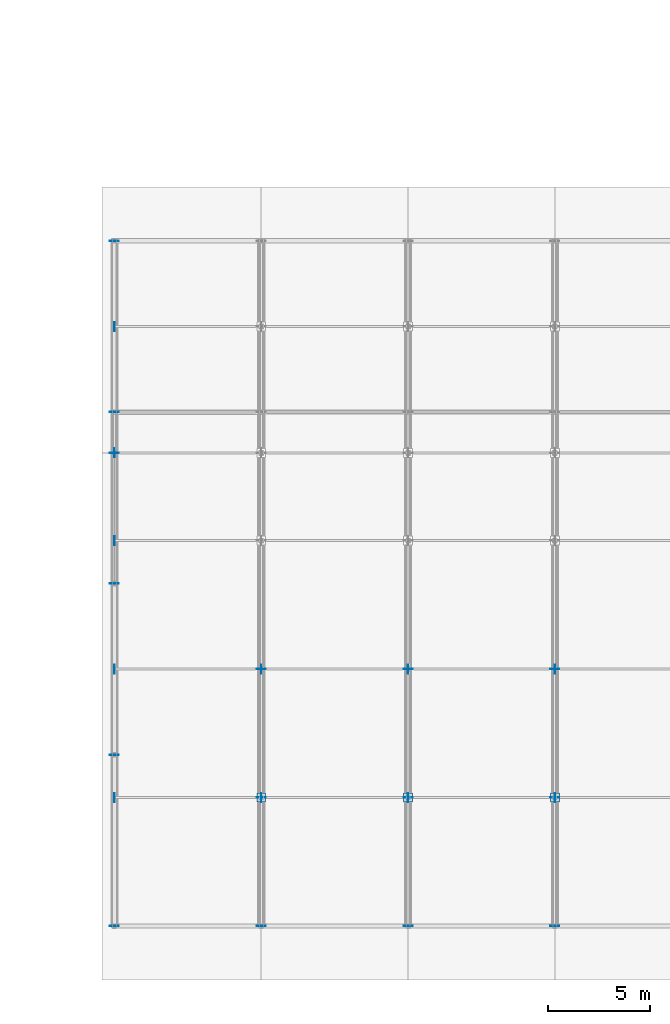
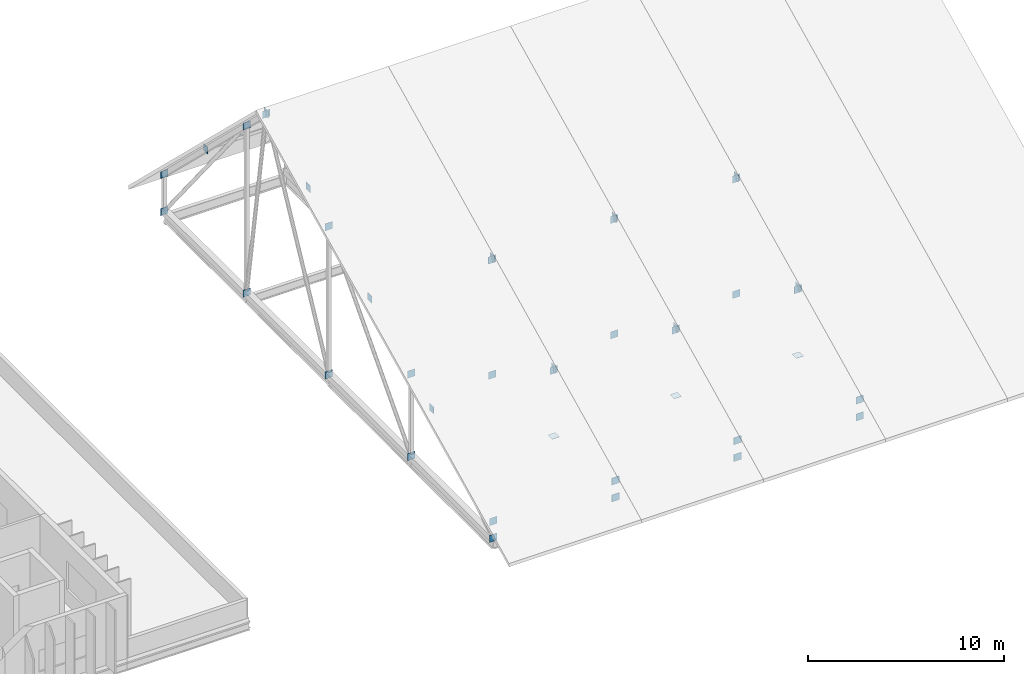
# One storey, part 69 of 99: 40 plates.
"""IFC4 building model written with IfcOpenShell, lengths in metres."""

from ifc_helpers import new_model, si_unit, direction, frame, origin, origin_2d, place, context, subcontext, project, spatial, rectangle, extrude, material, layer, layer_set, type_object, element, save


model = new_model("IFC4")

# Units and contexts
model_context = context("Model", 3, precision=1e-05, world=origin(), true_north=direction((0.0, 1.0)))
body_context = subcontext(model_context, "Body", "Model", "MODEL_VIEW")
ifc_project = project(units=[si_unit("LENGTHUNIT", "METRE"), si_unit("AREAUNIT", "SQUARE_METRE"), si_unit("VOLUMEUNIT", "CUBIC_METRE"), si_unit("PLANEANGLEUNIT", "RADIAN"), si_unit("MASSUNIT", "GRAM", prefix="KILO")], contexts=[model_context])

# Site, building, storey
site_placement = place(None, origin())
site = spatial("IfcSite", under=ifc_project, at=site_placement, CompositionType="ELEMENT")
building_placement = place(site_placement, origin())
building = spatial("IfcBuilding", under=site, at=building_placement, Name="Qelthora Terrace Specialist Clinic", CompositionType="ELEMENT")
storey_placement = place(building_placement, frame((0.0, 0.0, 9.0)))
storey = spatial("IfcBuildingStorey", under=building, at=storey_placement, Name="L02", CompositionType="ELEMENT", Elevation=9.0)

# Plates
ifc_material = material(Name="Steel S355", Category="steel")
ifc_layer_1 = layer(ifc_material, 0.011962890625)
ifc_layer_set_1 = layer_set([ifc_layer_1], Name="Steel S355")
plate_type_1 = type_object("IfcPlateType", Name="PLT-CAP-360X360X12", PredefinedType="USERDEFINED", material=ifc_layer_set_1)
plate_1_placement = place(storey_placement, frame((64.800048828125, 12.60009765625, -0.27001953125), z_axis=(0.0, 0.0, 1.0), x_axis=(1.0, 0.0, 0.0)))
element("IfcPlate", 1, at=plate_1_placement, inside=storey, type_object=plate_type_1, Name="Steel truss node plate GPLT-0018", ObjectType="GUSSET PLATE", PredefinedType="USERDEFINED", context=body_context, shape_type="SweptSolid", body=[
    extrude(rectangle(XDim=0.43994140625, YDim=0.011962890625, at=origin_2d()), origin(), (0.0, 0.0, 1.0), 0.43994140625),
])
plate_2_placement = place(storey_placement, frame((64.800048828125, 6.300048828125, -0.05615234375), z_axis=(0.0, 0.0, 1.0), x_axis=(1.0, 0.0, 0.0)))
element("IfcPlate", 2, at=plate_2_placement, inside=storey, type_object=plate_type_1, Name="Steel truss node plate GPLT-0026", ObjectType="GUSSET PLATE", PredefinedType="USERDEFINED", context=body_context, shape_type="SweptSolid", body=[
    extrude(rectangle(XDim=0.43994140625, YDim=0.43994140625, at=origin_2d()), origin(), (0.0, 0.0, 1.0), 0.011962890625),
])
plate_3_placement = place(storey_placement, frame((72.0, 12.60009765625, -0.27001953125), z_axis=(0.0, 0.0, 1.0), x_axis=(1.0, 0.0, 0.0)))
element("IfcPlate", 3, at=plate_3_placement, inside=storey, type_object=plate_type_1, Name="Steel truss node plate GPLT-0034", ObjectType="GUSSET PLATE", PredefinedType="USERDEFINED", context=body_context, shape_type="SweptSolid", body=[
    extrude(rectangle(XDim=0.43994140625, YDim=0.011962890625, at=origin_2d()), origin(), (0.0, 0.0, 1.0), 0.43994140625),
])
plate_4_placement = place(storey_placement, frame((72.0, 6.300048828125, -0.05615234375), z_axis=(0.0, 0.0, 1.0), x_axis=(1.0, 0.0, 0.0)))
element("IfcPlate", 4, at=plate_4_placement, inside=storey, type_object=plate_type_1, Name="Steel truss node plate GPLT-0042", ObjectType="GUSSET PLATE", PredefinedType="USERDEFINED", context=body_context, shape_type="SweptSolid", body=[
    extrude(rectangle(XDim=0.43994140625, YDim=0.43994140625, at=origin_2d()), origin(), (0.0, 0.0, 1.0), 0.011962890625),
])
plate_5_placement = place(storey_placement, frame((79.199951171875, 12.60009765625, -0.27001953125), z_axis=(0.0, 0.0, 1.0), x_axis=(1.0, 0.0, 0.0)))
element("IfcPlate", 5, at=plate_5_placement, inside=storey, type_object=plate_type_1, Name="Steel truss node plate GPLT-0050", ObjectType="GUSSET PLATE", PredefinedType="USERDEFINED", context=body_context, shape_type="SweptSolid", body=[
    extrude(rectangle(XDim=0.43994140625, YDim=0.011962890625, at=origin_2d()), origin(), (0.0, 0.0, 1.0), 0.43994140625),
])
plate_6_placement = place(storey_placement, frame((79.199951171875, 6.300048828125, -0.05615234375), z_axis=(0.0, 0.0, 1.0), x_axis=(1.0, 0.0, 0.0)))
element("IfcPlate", 6, at=plate_6_placement, inside=storey, type_object=plate_type_1, Name="Steel truss node plate GPLT-0058", ObjectType="GUSSET PLATE", PredefinedType="USERDEFINED", context=body_context, shape_type="SweptSolid", body=[
    extrude(rectangle(XDim=0.43994140625, YDim=0.43994140625, at=origin_2d()), origin(), (0.0, 0.0, 1.0), 0.011962890625),
])
for number, where, z_axis, x_axis, name in (
    (7, (57.60009765625, 6.300048828125, 3.96533203125), (0.0, 0.0, 1.0), (1.0, 0.0, 0.0), "Steel truss node plate GPLT-0087"),
    (8, (64.800048828125, 6.300048828125, 3.96533203125), (0.0, 0.0, 1.0), (1.0, 0.0, 0.0), "Steel truss node plate GPLT-0088"),
    (9, (72.0, 6.300048828125, 3.96533203125), (0.0, 0.0, 1.0), (1.0, 0.0, 0.0), "Steel truss node plate GPLT-0089"),
    (10, (79.199951171875, 6.300048828125, 3.96533203125), (0.0, 0.0, 1.0), (1.0, 0.0, 0.0), "Steel truss node plate GPLT-0090"),
    (11, (57.60009765625, 12.60009765625, 7.037353515625), (0.0, 0.0, 1.0), (1.0, 0.0, 0.0), "Steel truss node plate GPLT-0093"),
    (12, (64.800048828125, 12.60009765625, 7.037353515625), (0.0, 0.0, 1.0), (1.0, 0.0, 0.0), "Steel truss node plate GPLT-0094"),
    (13, (72.0, 12.60009765625, 7.037353515625), (0.0, 0.0, 1.0), (1.0, 0.0, 0.0), "Steel truss node plate GPLT-0095"),
    (14, (79.199951171875, 12.60009765625, 7.037353515625), (0.0, 0.0, 1.0), (1.0, 0.0, 0.0), "Steel truss node plate GPLT-0096"),
    (15, (57.60009765625, 18.89990234375, 10.109375), (0.0, 0.0, 1.0), (1.0, 0.0, 0.0), "Steel truss node plate GPLT-0099"),
    (16, (57.60009765625, 23.199951171875, 12.154052734375), (0.0, 0.0, 1.0), (1.0, 0.0, 0.0), "Steel truss node plate GPLT-0105"),
    (17, (57.60009765625, 29.39990234375, 6.163330078125), (0.0, 0.0, 1.0), (1.0, 0.0, 0.0), "Steel truss node plate GPLT-0111"),
):
    element("IfcPlate", number, at=place(storey_placement, frame(where, z_axis=z_axis, x_axis=x_axis)), inside=storey, type_object=plate_type_1, Name=name, ObjectType="GUSSET PLATE", PredefinedType="USERDEFINED", context=body_context, shape_type="SweptSolid", body=[
        extrude(rectangle(XDim=0.011962890625, YDim=0.43994140625, at=origin_2d()), origin(), (0.0, 0.0, 1.0), 0.43994140625),
    ])
ifc_layer_2 = layer(ifc_material, 0.02001953125)
ifc_layer_set_2 = layer_set([ifc_layer_2], Name="Steel S355")
plate_type_2 = type_object("IfcPlateType", Name="PLT-GUS-480X480X20", PredefinedType="USERDEFINED", material=ifc_layer_set_2)
for number, where, z_axis, x_axis, name in (
    (18, (57.60009765625, 0.0, -0.27001953125), (0.0, 0.0, 1.0), (1.0, 0.0, 0.0), "Steel truss node plate GPLT-0001"),
    (19, (57.60009765625, 8.39990234375, -0.27001953125), (0.0, 0.0, 1.0), (1.0, 0.0, 0.0), "Steel truss node plate GPLT-0002"),
    (20, (57.60009765625, 16.800048828125, -0.27001953125), (0.0, 0.0, 1.0), (1.0, 0.0, 0.0), "Steel truss node plate GPLT-0003"),
    (21, (57.60009765625, 25.199951171875, -0.27001953125), (0.0, 0.0, 1.0), (1.0, 0.0, 0.0), "Steel truss node plate GPLT-0004"),
    (22, (57.60009765625, 33.60009765625, -0.27001953125), (0.0, 0.0, 1.0), (1.0, 0.0, 0.0), "Steel truss node plate GPLT-0005"),
    (23, (57.60009765625, 0.0, 0.77734375), (0.0, 0.0, 1.0), (1.0, 0.0, 0.0), "Steel truss node plate GPLT-0006"),
    (24, (57.60009765625, 8.39990234375, 4.873291015625), (0.0, 0.0, 1.0), (1.0, 0.0, 0.0), "Steel truss node plate GPLT-0007"),
    (25, (57.60009765625, 16.800048828125, 8.96923828125), (0.0, 0.0, 1.0), (1.0, 0.0, 0.0), "Steel truss node plate GPLT-0008"),
    (26, (57.60009765625, 23.199951171875, 12.090087890625), (0.0, 0.0, 1.0), (1.0, 0.0, 0.0), "Steel truss node plate GPLT-0009"),
    (27, (57.60009765625, 25.199951171875, 10.157470703125), (0.0, 0.0, 1.0), (1.0, 0.0, 0.0), "Steel truss node plate GPLT-0010"),
    (28, (57.60009765625, 33.60009765625, 2.041015625), (0.0, 0.0, 1.0), (1.0, 0.0, 0.0), "Steel truss node plate GPLT-0011"),
    (29, (64.800048828125, 0.0, -0.27001953125), (0.0, 0.0, 1.0), (1.0, 0.0, 0.0), "Steel truss node plate GPLT-0012"),
    (30, (64.800048828125, 0.0, 0.77734375), (0.0, 0.0, 1.0), (1.0, 0.0, 0.0), "Steel truss node plate GPLT-0015"),
    (31, (64.800048828125, 6.300048828125, 3.849365234375), (0.0, 0.0, 1.0), (1.0, 0.0, 0.0), "Steel truss node plate GPLT-0016"),
    (32, (64.800048828125, 12.60009765625, 6.92138671875), (0.0, 0.0, 1.0), (1.0, 0.0, 0.0), "Steel truss node plate GPLT-0017"),
    (33, (72.0, 0.0, -0.27001953125), (0.0, 0.0, 1.0), (1.0, 0.0, 0.0), "Steel truss node plate GPLT-0028"),
    (34, (72.0, 0.0, 0.77734375), (0.0, 0.0, 1.0), (1.0, 0.0, 0.0), "Steel truss node plate GPLT-0031"),
    (35, (72.0, 6.300048828125, 3.849365234375), (0.0, 0.0, 1.0), (1.0, 0.0, 0.0), "Steel truss node plate GPLT-0032"),
    (36, (72.0, 12.60009765625, 6.92138671875), (0.0, 0.0, 1.0), (1.0, 0.0, 0.0), "Steel truss node plate GPLT-0033"),
    (37, (79.199951171875, 0.0, -0.27001953125), (0.0, 0.0, 1.0), (1.0, 0.0, 0.0), "Steel truss node plate GPLT-0044"),
    (38, (79.199951171875, 0.0, 0.77734375), (0.0, 0.0, 1.0), (1.0, 0.0, 0.0), "Steel truss node plate GPLT-0047"),
    (39, (79.199951171875, 6.300048828125, 3.849365234375), (0.0, 0.0, 1.0), (1.0, 0.0, 0.0), "Steel truss node plate GPLT-0048"),
    (40, (79.199951171875, 12.60009765625, 6.92138671875), (0.0, 0.0, 1.0), (1.0, 0.0, 0.0), "Steel truss node plate GPLT-0049"),
):
    element("IfcPlate", number, at=place(storey_placement, frame(where, z_axis=z_axis, x_axis=x_axis)), inside=storey, type_object=plate_type_2, Name=name, ObjectType="GUSSET PLATE", PredefinedType="USERDEFINED", context=body_context, shape_type="SweptSolid", body=[
        extrude(rectangle(XDim=0.43994140625, YDim=0.02001953125, at=origin_2d()), origin(), (0.0, 0.0, 1.0), 0.43994140625),
    ])

save(model, "model.ifc")
